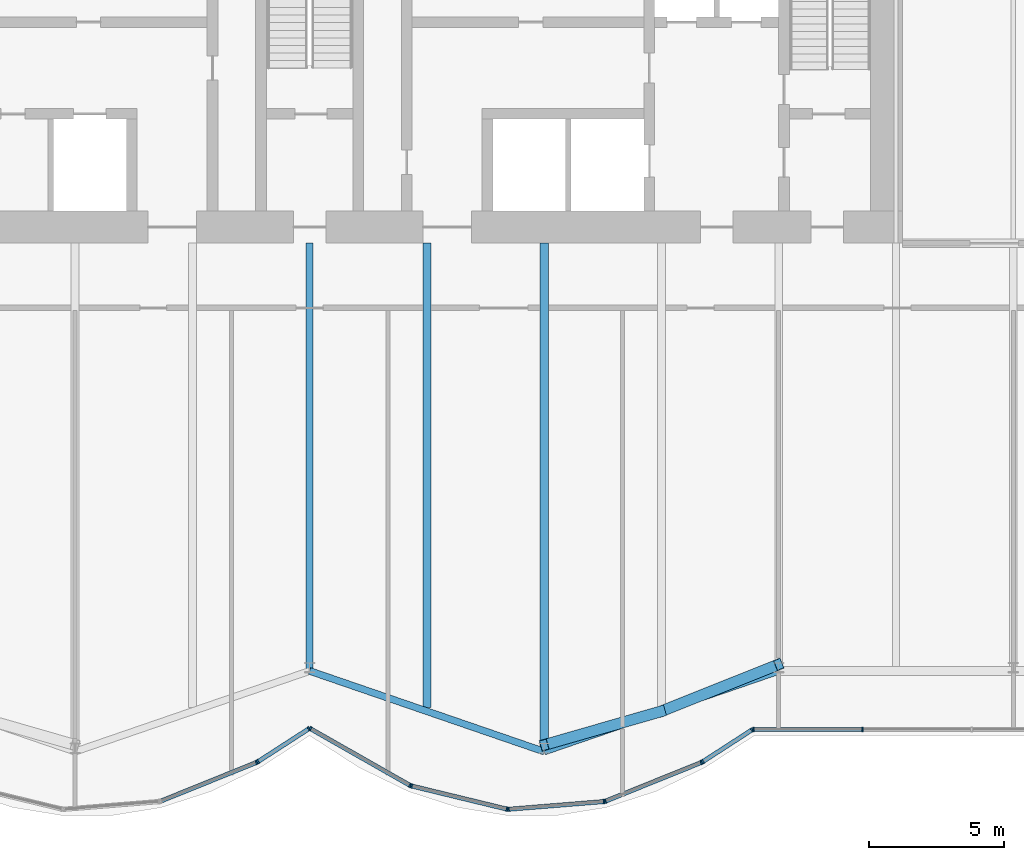
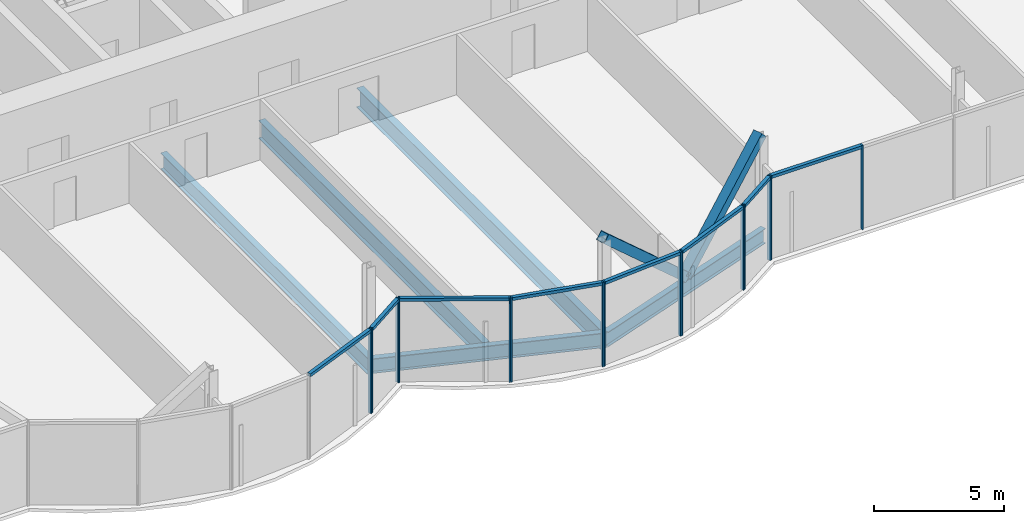
# One storey, part 8 of 20: 25 members, 5 beams, 3 elements without a shape of their own.
"""IFC4 building model written with IfcOpenShell, lengths in metres."""

from ifc_helpers import new_model, si_unit, direction, frame, origin, origin_2d, place, context, subcontext, project, spatial, rectangle, hollow_rectangle, i_section, extrude, material, material_profile, profile_set, type_object, element, aggregate, save


model = new_model("IFC4")

# Units and contexts
model_context = context("Model", 3, precision=1e-05, world=origin(), true_north=direction((0.0, 1.0)))
body_context = subcontext(model_context, "Body", "Model", "MODEL_VIEW")
ifc_project = project(units=[si_unit("LENGTHUNIT", "METRE"), si_unit("AREAUNIT", "SQUARE_METRE"), si_unit("VOLUMEUNIT", "CUBIC_METRE"), si_unit("PLANEANGLEUNIT", "RADIAN"), si_unit("MASSUNIT", "GRAM", prefix="KILO")], contexts=[model_context])

# Site, building, storey
site_placement = place(None, origin())
site = spatial("IfcSite", under=ifc_project, at=site_placement, CompositionType="ELEMENT")
building_placement = place(site_placement, origin())
building = spatial("IfcBuilding", under=site, at=building_placement, Name="Bicima Exchange Tower", CompositionType="ELEMENT")
storey_placement = place(building_placement, frame((0.0, 0.0, 223.699951171875)))
storey = spatial("IfcBuildingStorey", under=building, at=storey_placement, Name="L50", CompositionType="ELEMENT", Elevation=223.699951171875)

# Beams
ifc_material_1 = material(Name="Steel ASTM A992 Gr 50", Category="steel")
ifc_material_profile_1 = material_profile(ifc_material_1, i_section(OverallWidth=0.2666015625, OverallDepth=0.75439453125, WebThickness=0.01318359375, FlangeThickness=0.01708984375, at=origin_2d()))
ifc_profile_set_1 = profile_set([ifc_material_profile_1], Name="Steel ASTM A992 Gr 50")
beam_type_1 = type_object("IfcBeamType", Name="Floor beam W30x99", PredefinedType="JOIST", material=ifc_profile_set_1)
beam_1_placement = place(storey_placement, frame((0.0, -13.0, -0.527099609375), z_axis=(0.0, -1.0, 0.0), x_axis=(1.0, 0.0, 0.0)))
element("IfcBeam", 1, at=beam_1_placement, inside=storey, type_object=beam_type_1, Name="Floor beam", PredefinedType="JOIST", context=body_context, shape_type="SweptSolid", body=[
    extrude(i_section(OverallWidth=0.2666015625, OverallDepth=0.75439453125, WebThickness=0.01318359375, FlangeThickness=0.01708984375, at=origin_2d()), origin(), (0.0, 0.0, 1.0), 15.864013671875),
])
ifc_material_profile_2 = material_profile(ifc_material_1, i_section(OverallWidth=0.2919921875, OverallDepth=0.835693359375, WebThickness=0.013916015625, FlangeThickness=0.018798828125, at=origin_2d()))
ifc_profile_set_2 = profile_set([ifc_material_profile_2], Name="Steel ASTM A992 Gr 50")
beam_type_2 = type_object("IfcBeamType", Name="Floor beam W33x118", PredefinedType="JOIST", material=ifc_profile_set_2)
beam_2_placement = place(storey_placement, frame((4.35009765625, -13.0, -0.56787109375), z_axis=(0.0, -1.0, 0.0), x_axis=(1.0, 0.0, 0.0)))
element("IfcBeam", 2, at=beam_2_placement, inside=storey, type_object=beam_type_2, Name="Floor beam", PredefinedType="JOIST", context=body_context, shape_type="SweptSolid", body=[
    extrude(i_section(OverallWidth=0.2919921875, OverallDepth=0.835693359375, WebThickness=0.013916015625, FlangeThickness=0.018798828125, at=origin_2d()), origin(), (0.0, 0.0, 1.0), 17.223876953125),
])
ifc_material_profile_3 = material_profile(ifc_material_1, i_section(OverallWidth=0.3046875, OverallDepth=0.904296875, WebThickness=0.01513671875, FlangeThickness=0.02001953125, at=origin_2d()))
ifc_profile_set_3 = profile_set([ifc_material_profile_3], Name="Steel ASTM A992 Gr 50")
beam_type_3 = type_object("IfcBeamType", Name="Floor beam W36x135", PredefinedType="JOIST", material=ifc_profile_set_3)
beam_3_placement = place(storey_placement, frame((8.699951171875, -13.0, -0.60205078125), z_axis=(0.0, -1.0, 0.0), x_axis=(1.0, 0.0, 0.0)))
element("IfcBeam", 3, at=beam_3_placement, inside=storey, type_object=beam_type_3, Name="Floor beam", PredefinedType="JOIST", context=body_context, shape_type="SweptSolid", body=[
    extrude(i_section(OverallWidth=0.3046875, OverallDepth=0.904296875, WebThickness=0.01513671875, FlangeThickness=0.02001953125, at=origin_2d()), origin(), (0.0, 0.0, 1.0), 18.719482421875),
])
ifc_material_profile_4 = material_profile(ifc_material_1, i_section(OverallWidth=0.256591796875, OverallDepth=0.693359375, WebThickness=0.014404296875, FlangeThickness=0.023681640625, at=origin_2d()))
ifc_profile_set_4 = profile_set([ifc_material_profile_4], Name="Steel ASTM A992 Gr 50")
beam_type_4 = type_object("IfcBeamType", Name="Front girder W27x114", PredefinedType="BEAM", material=ifc_profile_set_4)
for number, where, z_axis, x_axis, name in (
    (4, (0.0, -28.864013671875, -0.49658203125), (0.945674616091, -0.32511462668, 0.0), (0.32511462668, 0.945674616091, 0.0), "Front girder"),
    (5, (8.699951171875, -31.85498046875, -0.49658203125), (0.945674616091, 0.32511462668, 0.0), (-0.32511462668, 0.945674616091, 0.0), "Front girder"),
):
    element("IfcBeam", number, at=place(storey_placement, frame(where, z_axis=z_axis, x_axis=x_axis)), inside=storey, type_object=beam_type_4, Name=name, PredefinedType="BEAM", context=body_context, shape_type="SweptSolid", body=[
        extrude(i_section(OverallWidth=0.256591796875, OverallDepth=0.693359375, WebThickness=0.014404296875, FlangeThickness=0.023681640625, at=origin_2d()), origin(), (0.0, 0.0, 1.0), 9.19970703125),
    ])

# Curtain wall, members
ifc_material_2 = material(Name="Anodised bronze aluminium", Category="aluminium")
curtain_wall_type = type_object("IfcCurtainWallType", Name="Front glass wall", PredefinedType="NOTDEFINED", material=ifc_material_2)
curtain_wall_1_placement = place(storey_placement, origin())
curtain_wall_1 = element("IfcCurtainWall", 6, at=curtain_wall_1_placement, inside=storey, type_object=curtain_wall_type, Name="Front glass wall L50 run 6", PredefinedType="NOTDEFINED")
ifc_material_profile_5 = material_profile(ifc_material_2, rectangle(XDim=0.159912109375, YDim=0.06005859375, at=origin_2d()))
ifc_profile_set_5 = profile_set([ifc_material_profile_5], Name="Anodised bronze aluminium")
member_type_1 = type_object("IfcMemberType", Name="Front glass wall mullion 60 x 160", PredefinedType="MULLION", material=ifc_profile_set_5)
member_1_placement = place(storey_placement, frame((-1.97412109375, -32.259521484375, 0.0), z_axis=(0.0, 0.0, 1.0), x_axis=(-0.374705304, 0.92714396679, 0.0)))
member_1 = element("IfcMember", 7, at=member_1_placement, type_object=member_type_1, Name="Front glass wall mullion 2", PredefinedType="MULLION", context=body_context, shape_type="SweptSolid", body=[
    extrude(rectangle(XDim=0.159912109375, YDim=0.06005859375, at=origin_2d()), origin(), (0.0, 0.0, 1.0), 3.949951171875),
])
member_2_placement = place(storey_placement, frame((-1.921142578125, -32.232177734375, 0.0), z_axis=(0.0, 0.0, 1.0), x_axis=(-0.542897457326, 0.839798994301, 0.0)))
member_2 = element("IfcMember", 8, at=member_2_placement, type_object=member_type_1, Name="Front glass wall mullion 1", PredefinedType="MULLION", context=body_context, shape_type="SweptSolid", body=[
    extrude(rectangle(XDim=0.159912109375, YDim=0.06005859375, at=origin_2d()), origin(), (0.0, 0.0, 1.0), 3.949951171875),
])
member_3_placement = place(storey_placement, frame((-0.025146484375, -31.00634765625, 0.0), z_axis=(0.0, 0.0, 1.0), x_axis=(-0.542897457326, 0.839798994301, 0.0)))
member_3 = element("IfcMember", 9, at=member_3_placement, type_object=member_type_1, Name="Front glass wall mullion 2", PredefinedType="MULLION", context=body_context, shape_type="SweptSolid", body=[
    extrude(rectangle(XDim=0.159912109375, YDim=0.06005859375, at=origin_2d()), origin(), (0.0, 0.0, 1.0), 3.949951171875),
])

curtain_wall_2_placement = place(storey_placement, origin())
curtain_wall_2 = element("IfcCurtainWall", 10, at=curtain_wall_2_placement, inside=storey, type_object=curtain_wall_type, Name="Front glass wall L50 run 11", PredefinedType="NOTDEFINED")
member_4_placement = place(storey_placement, frame((0.026123046875, -31.0048828125, 0.0), z_axis=(0.0, 0.0, 1.0), x_axis=(0.494330311331, 0.869274147378, 0.0)))
member_4 = element("IfcMember", 11, at=member_4_placement, type_object=member_type_1, Name="Front glass wall mullion 1", PredefinedType="MULLION", context=body_context, shape_type="SweptSolid", body=[
    extrude(rectangle(XDim=0.159912109375, YDim=0.06005859375, at=origin_2d()), origin(), (0.0, 0.0, 1.0), 3.949951171875),
])
member_5_placement = place(storey_placement, frame((3.7265625, -33.109375, 0.0), z_axis=(0.0, 0.0, 1.0), x_axis=(0.494330311331, 0.869274147378, 0.0)))
member_5 = element("IfcMember", 12, at=member_5_placement, type_object=member_type_1, Name="Front glass wall mullion 2", PredefinedType="MULLION", context=body_context, shape_type="SweptSolid", body=[
    extrude(rectangle(XDim=0.159912109375, YDim=0.06005859375, at=origin_2d()), origin(), (0.0, 0.0, 1.0), 3.949951171875),
])
member_6_placement = place(storey_placement, frame((3.781982421875, -33.13134765625, 0.0), z_axis=(0.0, 0.0, 1.0), x_axis=(0.235681529503, 0.971830343553, 0.0)))
member_6 = element("IfcMember", 13, at=member_6_placement, type_object=member_type_1, Name="Front glass wall mullion 1", PredefinedType="MULLION", context=body_context, shape_type="SweptSolid", body=[
    extrude(rectangle(XDim=0.159912109375, YDim=0.06005859375, at=origin_2d()), origin(), (0.0, 0.0, 1.0), 3.949951171875),
])
member_7_placement = place(storey_placement, frame((7.322509765625, -33.989990234375, 0.0), z_axis=(0.0, 0.0, 1.0), x_axis=(0.235681529503, 0.971830343553, 0.0)))
member_7 = element("IfcMember", 14, at=member_7_placement, type_object=member_type_1, Name="Front glass wall mullion 2", PredefinedType="MULLION", context=body_context, shape_type="SweptSolid", body=[
    extrude(rectangle(XDim=0.159912109375, YDim=0.06005859375, at=origin_2d()), origin(), (0.0, 0.0, 1.0), 3.949951171875),
])
member_8_placement = place(storey_placement, frame((7.381591796875, -33.99462890625, 0.0), z_axis=(0.0, 0.0, 1.0), x_axis=(-0.080588612633, 0.99674744821, 0.0)))
member_8 = element("IfcMember", 15, at=member_8_placement, type_object=member_type_1, Name="Front glass wall mullion 1", PredefinedType="MULLION", context=body_context, shape_type="SweptSolid", body=[
    extrude(rectangle(XDim=0.159912109375, YDim=0.06005859375, at=origin_2d()), origin(), (0.0, 0.0, 1.0), 3.949951171875),
])
member_9_placement = place(storey_placement, frame((10.916015625, -33.708740234375, 0.0), z_axis=(0.0, 0.0, 1.0), x_axis=(-0.080588612633, 0.99674744821, 0.0)))
member_9 = element("IfcMember", 16, at=member_9_placement, type_object=member_type_1, Name="Front glass wall mullion 2", PredefinedType="MULLION", context=body_context, shape_type="SweptSolid", body=[
    extrude(rectangle(XDim=0.159912109375, YDim=0.06005859375, at=origin_2d()), origin(), (0.0, 0.0, 1.0), 3.949951171875),
])
member_10_placement = place(storey_placement, frame((10.973876953125, -33.6953125, 0.0), z_axis=(0.0, 0.0, 1.0), x_axis=(-0.374705304, 0.92714396679, 0.0)))
member_10 = element("IfcMember", 17, at=member_10_placement, type_object=member_type_1, Name="Front glass wall mullion 1", PredefinedType="MULLION", context=body_context, shape_type="SweptSolid", body=[
    extrude(rectangle(XDim=0.159912109375, YDim=0.06005859375, at=origin_2d()), origin(), (0.0, 0.0, 1.0), 3.949951171875),
])
member_11_placement = place(storey_placement, frame((14.52587890625, -32.259521484375, 0.0), z_axis=(0.0, 0.0, 1.0), x_axis=(-0.374705304, 0.92714396679, 0.0)))
member_11 = element("IfcMember", 18, at=member_11_placement, type_object=member_type_1, Name="Front glass wall mullion 2", PredefinedType="MULLION", context=body_context, shape_type="SweptSolid", body=[
    extrude(rectangle(XDim=0.159912109375, YDim=0.06005859375, at=origin_2d()), origin(), (0.0, 0.0, 1.0), 3.949951171875),
])
member_12_placement = place(storey_placement, frame((14.578857421875, -32.232177734375, 0.0), z_axis=(0.0, 0.0, 1.0), x_axis=(-0.542909183079, 0.839791413941, 0.0)))
member_12 = element("IfcMember", 19, at=member_12_placement, type_object=member_type_1, Name="Front glass wall mullion 1", PredefinedType="MULLION", context=body_context, shape_type="SweptSolid", body=[
    extrude(rectangle(XDim=0.159912109375, YDim=0.06005859375, at=origin_2d()), origin(), (0.0, 0.0, 1.0), 3.949951171875),
])
member_13_placement = place(storey_placement, frame((16.406982421875, -31.05029296875, 0.0), z_axis=(0.0, 0.0, 1.0), x_axis=(-0.542909183079, 0.839791413941, 0.0)))
member_13 = element("IfcMember", 20, at=member_13_placement, type_object=member_type_1, Name="Front glass wall mullion 2", PredefinedType="MULLION", context=body_context, shape_type="SweptSolid", body=[
    extrude(rectangle(XDim=0.159912109375, YDim=0.06005859375, at=origin_2d()), origin(), (0.0, 0.0, 1.0), 3.949951171875),
])

curtain_wall_3_placement = place(storey_placement, origin())
curtain_wall_3 = element("IfcCurtainWall", 21, at=curtain_wall_3_placement, inside=storey, type_object=curtain_wall_type, Name="Front glass wall L50 run 16", PredefinedType="NOTDEFINED")
member_14_placement = place(storey_placement, frame((16.462158203125, -31.033935546875, 0.0), z_axis=(0.0, 0.0, 1.0), x_axis=(0.0, 1.0, 0.0)))
member_14 = element("IfcMember", 22, at=member_14_placement, type_object=member_type_1, Name="Front glass wall mullion 1", PredefinedType="MULLION", context=body_context, shape_type="SweptSolid", body=[
    extrude(rectangle(XDim=0.159912109375, YDim=0.06005859375, at=origin_2d()), origin(), (0.0, 0.0, 1.0), 3.949951171875),
])
member_15_placement = place(storey_placement, frame((20.51171875, -31.033935546875, 0.0), z_axis=(0.0, 0.0, 1.0), x_axis=(0.0, 1.0, 0.0)))
member_15 = element("IfcMember", 23, at=member_15_placement, type_object=member_type_1, Name="Front glass wall mullion 2", PredefinedType="MULLION", context=body_context, shape_type="SweptSolid", body=[
    extrude(rectangle(XDim=0.159912109375, YDim=0.06005859375, at=origin_2d()), origin(), (0.0, 0.0, 1.0), 3.949951171875),
])

# Member
ifc_material_profile_6 = material_profile(ifc_material_2, rectangle(XDim=0.159912109375, YDim=0.139892578125, at=origin_2d()))
ifc_profile_set_6 = profile_set([ifc_material_profile_6], Name="Anodised bronze aluminium")
member_type_2 = type_object("IfcMemberType", Name="Front glass wall transom 140 x 160", PredefinedType="USERDEFINED", material=ifc_profile_set_6)
member_16_placement = place(storey_placement, frame((-5.498291015625, -33.683837890625, 3.880126953125), z_axis=(0.927140215882, 0.374714584842, 0.0), x_axis=(-0.374714584842, 0.927140215882, 0.0)))
member_16 = element("IfcMember", 24, at=member_16_placement, type_object=member_type_2, Name="Front glass wall transom 1.1", ObjectType="TRANSOM", PredefinedType="USERDEFINED", context=body_context, shape_type="SweptSolid", body=[
    extrude(rectangle(XDim=0.159912109375, YDim=0.139892578125, at=origin_2d()), origin(), (0.0, 0.0, 1.0), 3.77099609375),
])

member_17_placement = place(storey_placement, frame((-1.89599609375, -32.2158203125, 3.880126953125), z_axis=(0.839811483481, 0.542878137536, 0.0), x_axis=(-0.542878137536, 0.839811483481, 0.0)))
member_17 = element("IfcMember", 25, at=member_17_placement, type_object=member_type_2, Name="Front glass wall transom 1.1", ObjectType="TRANSOM", PredefinedType="USERDEFINED", context=body_context, shape_type="SweptSolid", body=[
    extrude(rectangle(XDim=0.159912109375, YDim=0.139892578125, at=origin_2d()), origin(), (0.0, 0.0, 1.0), 2.19775390625),
])

aggregate(curtain_wall_1, [member_1, member_16, member_2, member_3, member_17])

member_18_placement = place(storey_placement, frame((0.05224609375, -31.019775390625, 3.880126953125), z_axis=(0.869265121745, -0.494346182466, 0.0), x_axis=(0.494346182466, 0.869265121745, 0.0)))
member_18 = element("IfcMember", 26, at=member_18_placement, type_object=member_type_2, Name="Front glass wall transom 1.1", ObjectType="TRANSOM", PredefinedType="USERDEFINED", context=body_context, shape_type="SweptSolid", body=[
    extrude(rectangle(XDim=0.159912109375, YDim=0.139892578125, at=origin_2d()), origin(), (0.0, 0.0, 1.0), 4.19677734375),
])

member_19_placement = place(storey_placement, frame((3.81103515625, -33.13818359375, 3.880126953125), z_axis=(0.971817951661, -0.235732621477, 0.0), x_axis=(0.235732621477, 0.971817951661, 0.0)))
member_19 = element("IfcMember", 27, at=member_19_placement, type_object=member_type_2, Name="Front glass wall transom 1.1", ObjectType="TRANSOM", PredefinedType="USERDEFINED", context=body_context, shape_type="SweptSolid", body=[
    extrude(rectangle(XDim=0.159912109375, YDim=0.139892578125, at=origin_2d()), origin(), (0.0, 0.0, 1.0), 3.58349609375),
])

member_20_placement = place(storey_placement, frame((7.41162109375, -33.9921875, 3.880126953125), z_axis=(0.9967456465, 0.080610893699, 0.0), x_axis=(-0.080610893699, 0.9967456465, 0.0)))
member_20 = element("IfcMember", 28, at=member_20_placement, type_object=member_type_2, Name="Front glass wall transom 1.1", ObjectType="TRANSOM", PredefinedType="USERDEFINED", context=body_context, shape_type="SweptSolid", body=[
    extrude(rectangle(XDim=0.159912109375, YDim=0.139892578125, at=origin_2d()), origin(), (0.0, 0.0, 1.0), 3.48583984375),
])

member_21_placement = place(storey_placement, frame((11.001708984375, -33.683837890625, 3.880126953125), z_axis=(0.927140215882, 0.374714584842, 0.0), x_axis=(-0.374714584842, 0.927140215882, 0.0)))
member_21 = element("IfcMember", 29, at=member_21_placement, type_object=member_type_2, Name="Front glass wall transom 1.1", ObjectType="TRANSOM", PredefinedType="USERDEFINED", context=body_context, shape_type="SweptSolid", body=[
    extrude(rectangle(XDim=0.159912109375, YDim=0.139892578125, at=origin_2d()), origin(), (0.0, 0.0, 1.0), 3.77099609375),
])

member_22_placement = place(storey_placement, frame((14.60400390625, -32.2158203125, 3.880126953125), z_axis=(0.839792890287, 0.542906899407, 0.0), x_axis=(-0.542906899407, 0.839792890287, 0.0)))
member_22 = element("IfcMember", 30, at=member_22_placement, type_object=member_type_2, Name="Front glass wall transom 1.1", ObjectType="TRANSOM", PredefinedType="USERDEFINED", context=body_context, shape_type="SweptSolid", body=[
    extrude(rectangle(XDim=0.159912109375, YDim=0.139892578125, at=origin_2d()), origin(), (0.0, 0.0, 1.0), 2.11669921875),
])

aggregate(curtain_wall_2, [member_4, member_5, member_18, member_6, member_7, member_19, member_8, member_9, member_20, member_10, member_11, member_21, member_12, member_13, member_22])

member_23_placement = place(storey_placement, frame((16.4921875, -31.033935546875, 3.880126953125), z_axis=(1.0, 0.0, 0.0), x_axis=(0.0, 1.0, 0.0)))
member_23 = element("IfcMember", 31, at=member_23_placement, type_object=member_type_2, Name="Front glass wall transom 1.1", ObjectType="TRANSOM", PredefinedType="USERDEFINED", context=body_context, shape_type="SweptSolid", body=[
    extrude(rectangle(XDim=0.159912109375, YDim=0.139892578125, at=origin_2d()), origin(), (0.0, 0.0, 1.0), 3.989501953125),
])

aggregate(curtain_wall_3, [member_14, member_15, member_23])

# Members
ifc_material_3 = material(Name="Steel ASTM A572 Gr 50", Category="steel")
ifc_material_profile_7 = material_profile(ifc_material_3, hollow_rectangle(XDim=0.406494140625, YDim=0.406494140625, WallThickness=0.0146484375, at=origin_2d()))
ifc_profile_set_7 = profile_set([ifc_material_profile_7], Name="Steel ASTM A572 Gr 50")
member_type_3 = type_object("IfcMemberType", Name="Mega brace HSS16x16x5/8", PredefinedType="BRACE", material=ifc_profile_set_7)
member_24_placement = place(storey_placement, frame((13.050048828125, -30.359619140625, 0.0), z_axis=(0.69870612412, 0.279411861388, 0.658588463179), x_axis=(-0.371309808925, 0.928509033772, 0.0)))
element("IfcMember", 32, at=member_24_placement, inside=storey, type_object=member_type_3, Name="Mega brace front", PredefinedType="BRACE", context=body_context, shape_type="SweptSolid", body=[
    extrude(hollow_rectangle(XDim=0.406494140625, YDim=0.406494140625, WallThickness=0.0146484375, at=origin_2d()), origin(), (0.0, 0.0, 1.0), 6.2255859375),
])
member_25_placement = place(storey_placement, frame((13.050048828125, -30.359619140625, 0.0), z_axis=(-0.712266893938, -0.204909647453, 0.671332933931), x_axis=(0.276473064615, -0.961021667052, 0.0)))
element("IfcMember", 33, at=member_25_placement, inside=storey, type_object=member_type_3, Name="Mega brace front", PredefinedType="BRACE", context=body_context, shape_type="SweptSolid", body=[
    extrude(hollow_rectangle(XDim=0.406494140625, YDim=0.406494140625, WallThickness=0.0146484375, at=origin_2d()), origin(), (0.0, 0.0, 1.0), 6.107421875),
])

save(model, "model.ifc")
